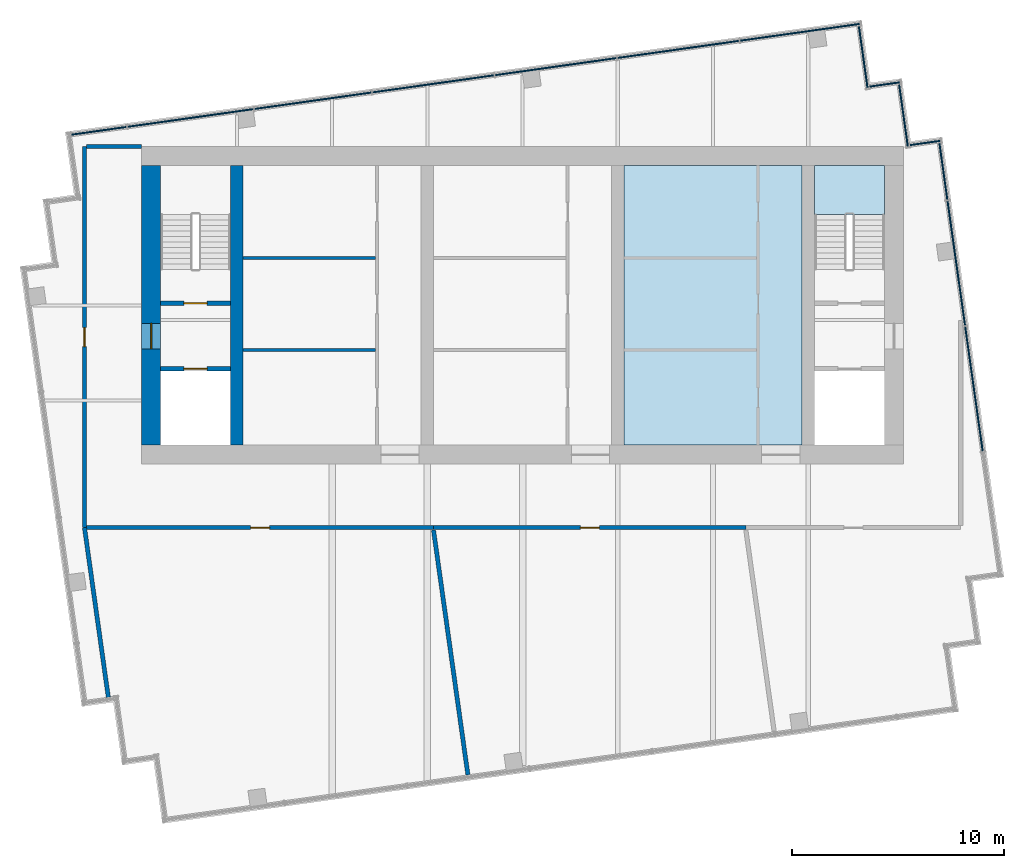
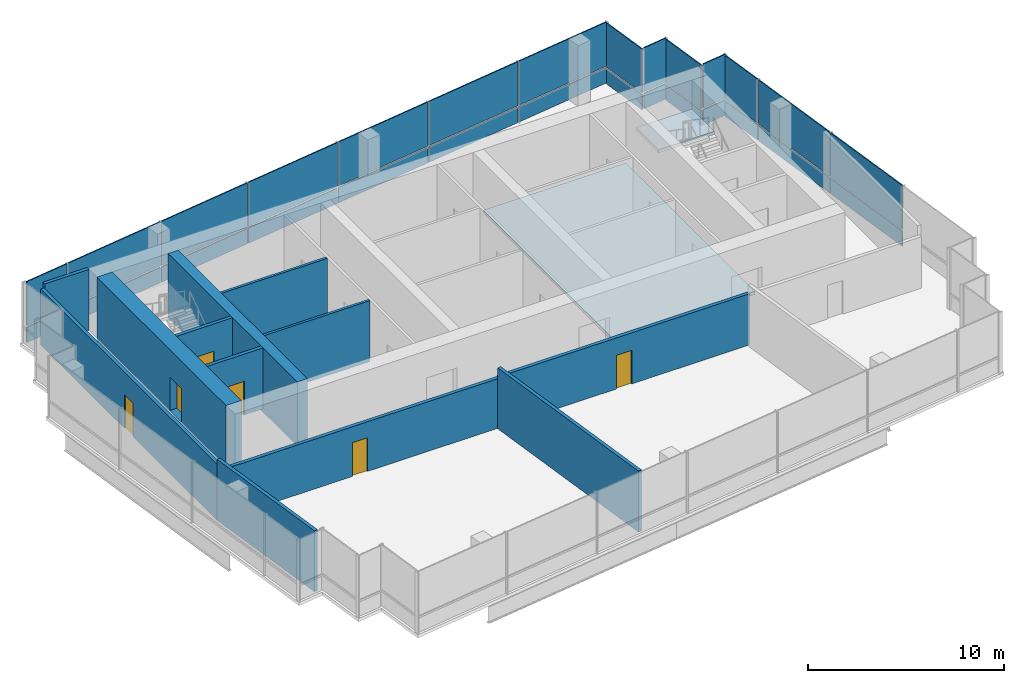
# One storey, part 7 of 9: 28 plates, 12 walls, 6 doors, 2 slabs, 6 openings, 7 elements without a shape of their own.
"""IFC4 building model written with IfcOpenShell, lengths in metres."""

from ifc_helpers import new_model, si_unit, direction, frame, frame_2d, origin, origin_2d, place, context, subcontext, project, spatial, polyline, rectangle, outline, extrude, material, layer, layer_set, type_object, element, fill, aggregate, save


model = new_model("IFC4")

# Units and contexts
model_context = context("Model", 3, precision=1e-05, world=origin(), true_north=direction((0.0, 1.0)))
body_context = subcontext(model_context, "Body", "Model", "MODEL_VIEW")
ifc_project = project(units=[si_unit("LENGTHUNIT", "METRE"), si_unit("AREAUNIT", "SQUARE_METRE"), si_unit("VOLUMEUNIT", "CUBIC_METRE"), si_unit("PLANEANGLEUNIT", "RADIAN"), si_unit("MASSUNIT", "GRAM", prefix="KILO")], contexts=[model_context])

# Site, building, storey
site_placement = place(None, origin())
site = spatial("IfcSite", under=ifc_project, at=site_placement, CompositionType="ELEMENT")
building_placement = place(site_placement, origin())
building = spatial("IfcBuilding", under=site, at=building_placement, Name="Rattan Terrace Tower", CompositionType="ELEMENT")
storey_placement = place(building_placement, frame((0.0, 0.0, 296.300048828125)))
storey = spatial("IfcBuildingStorey", under=building, at=storey_placement, Name="C02", CompositionType="ELEMENT", Elevation=296.300048828125)

# Stair, slab
ifc_material_1 = material(Name="Concrete C40/50", Category="concrete")
stair_type = type_object("IfcStairType", Name="Core exit stair 1500", PredefinedType="HALF_TURN_STAIR", material=ifc_material_1)
stair_placement = place(storey_placement, origin())
stair = element("IfcStair", 1, at=stair_placement, inside=storey, type_object=stair_type, Name="C02 exit stair 2", PredefinedType="HALF_TURN_STAIR")
ifc_material_2 = material(Name="Concrete C40/50", Category="concrete")
ifc_layer_1 = layer(ifc_material_2, 0.199951171875)
ifc_layer_set_1 = layer_set([ifc_layer_1], Name="Core exit stair landing")
slab_type_1 = type_object("IfcSlabType", Name="Core exit stair landing", PredefinedType="LANDING", material=ifc_layer_set_1)
slab_1_placement = place(storey_placement, frame((0.0, 0.0, 1.800048828125)))
slab_1 = element("IfcSlab", 2, at=slab_1_placement, type_object=slab_type_1, Name="S2 landing 1", PredefinedType="LANDING", context=body_context, shape_type="SweptSolid", body=[
    extrude(outline(polyline([(17.10009765625, 4.300048828125), (17.10009765625, 6.60009765625), (13.800048828125, 6.60009765625), (13.800048828125, 4.300048828125), (17.10009765625, 4.300048828125)])), origin(), (0.0, 0.0, 1.0), 0.199951171875),
])
aggregate(stair, [slab_1])

# Slab
ifc_material_3 = material(Name="Concrete C35/45", Category="concrete")
ifc_layer_2 = layer(ifc_material_3, 0.199951171875)
ifc_layer_set_2 = layer_set([ifc_layer_2], Name="Frame composite floor slab 200")
slab_type_2 = type_object("IfcSlabType", Name="Frame composite floor slab 200", PredefinedType="FLOOR", material=ifc_layer_set_2)
slab_2_placement = place(storey_placement, frame((0.0, 0.0, -0.199951171875)))
element("IfcSlab", 3, at=slab_2_placement, inside=storey, type_object=slab_type_2, Name="Floor slab", PredefinedType="FLOOR", context=body_context, shape_type="SweptSolid", body=[
    extrude(outline(polyline([(4.800048828125, -6.60009765625), (13.199951171875, -6.60009765625), (13.199951171875, 6.60009765625), (4.800048828125, 6.60009765625), (4.800048828125, -6.60009765625)])), origin(), (0.0, 0.0, 1.0), 0.199951171875),
])

# Curtain wall, plates
ifc_material_4 = material(Name="Aluminium and laminated glass", Category="aluminium")
ifc_layer_3 = layer(ifc_material_4, 0.239990234375)
ifc_layer_set_3 = layer_set([ifc_layer_3], Name="Lantern Stick Curtain Wall")
curtain_wall_type = type_object("IfcCurtainWallType", Name="Lantern Stick Curtain Wall", PredefinedType="NOTDEFINED", material=ifc_layer_set_3)
curtain_wall_1_placement = place(storey_placement, origin())
curtain_wall_1 = element("IfcCurtainWall", 4, at=curtain_wall_1_placement, inside=storey, type_object=curtain_wall_type, Name="Lantern curtain wall C02-11", PredefinedType="NOTDEFINED")
ifc_material_5 = material(Name="Laminated low-iron glass", Category="glass")
ifc_layer_4 = layer(ifc_material_5, 0.06591796875)
ifc_layer_set_4 = layer_set([ifc_layer_4], Name="Lantern CW Laminated Panel")
plate_type = type_object("IfcPlateType", Name="Lantern CW Laminated Panel", PredefinedType="CURTAIN_PANEL", material=ifc_layer_set_4)
plate_1_placement = place(storey_placement, frame((21.325927734375, -3.9482421875, 0.0), z_axis=(0.0, 0.0, 1.0), x_axis=(-0.139187707455, 0.990266015823, 0.0)))
plate_1 = element("IfcPlate", 5, at=plate_1_placement, type_object=plate_type, Name="Panel cwl-C02-011.2.1", PredefinedType="CURTAIN_PANEL", context=body_context, shape_type="SweptSolid", body=[
    extrude(rectangle(XDim=5.929931640625, YDim=0.06591796875, at=origin_2d()), origin(), (0.0, 0.0, 1.0), 0.949951171875),
])
plate_2_placement = place(storey_placement, frame((21.325927734375, -3.9482421875, 1.050048828125), z_axis=(0.0, 0.0, 1.0), x_axis=(-0.139187707455, 0.990266015823, 0.0)))
plate_2 = element("IfcPlate", 6, at=plate_2_placement, type_object=plate_type, Name="Panel cwl-C02-011.2.2", PredefinedType="CURTAIN_PANEL", context=body_context, shape_type="SweptSolid", body=[
    extrude(rectangle(XDim=5.929931640625, YDim=0.06591796875, at=origin_2d()), origin(), (0.0, 0.0, 1.0), 2.75),
])
plate_3_placement = place(storey_placement, frame((20.49072265625, 1.993408203125, 0.0), z_axis=(0.0, 0.0, 1.0), x_axis=(-0.139187707455, 0.990266015823, 0.0)))
plate_3 = element("IfcPlate", 7, at=plate_3_placement, type_object=plate_type, Name="Panel cwl-C02-011.3.1", PredefinedType="CURTAIN_PANEL", context=body_context, shape_type="SweptSolid", body=[
    extrude(rectangle(XDim=5.929931640625, YDim=0.06591796875, at=origin_2d()), origin(), (0.0, 0.0, 1.0), 0.949951171875),
])
plate_4_placement = place(storey_placement, frame((20.49072265625, 1.993408203125, 1.050048828125), z_axis=(0.0, 0.0, 1.0), x_axis=(-0.139187707455, 0.990266015823, 0.0)))
plate_4 = element("IfcPlate", 8, at=plate_4_placement, type_object=plate_type, Name="Panel cwl-C02-011.3.2", PredefinedType="CURTAIN_PANEL", context=body_context, shape_type="SweptSolid", body=[
    extrude(rectangle(XDim=5.929931640625, YDim=0.06591796875, at=origin_2d()), origin(), (0.0, 0.0, 1.0), 2.75),
])
plate_5_placement = place(storey_placement, frame((19.88232421875, 6.323486328125, 0.0), z_axis=(0.0, 0.0, 1.0), x_axis=(-0.139187707455, 0.990266015823, 0.0)))
plate_5 = element("IfcPlate", 9, at=plate_5_placement, type_object=plate_type, Name="Panel cwl-C02-011.4.1", PredefinedType="CURTAIN_PANEL", context=body_context, shape_type="SweptSolid", body=[
    extrude(rectangle(XDim=2.67529296875, YDim=0.06591796875, at=origin_2d()), origin(), (0.0, 0.0, 1.0), 0.949951171875),
])
plate_6_placement = place(storey_placement, frame((19.88232421875, 6.323486328125, 1.050048828125), z_axis=(0.0, 0.0, 1.0), x_axis=(-0.139187707455, 0.990266015823, 0.0)))
plate_6 = element("IfcPlate", 10, at=plate_6_placement, type_object=plate_type, Name="Panel cwl-C02-011.4.2", PredefinedType="CURTAIN_PANEL", context=body_context, shape_type="SweptSolid", body=[
    extrude(rectangle(XDim=2.67529296875, YDim=0.06591796875, at=origin_2d()), origin(), (0.0, 0.0, 1.0), 2.75),
])
aggregate(curtain_wall_1, [plate_1, plate_2, plate_3, plate_4, plate_5, plate_6])

curtain_wall_2_placement = place(storey_placement, origin())
curtain_wall_2 = element("IfcCurtainWall", 11, at=curtain_wall_2_placement, inside=storey, type_object=curtain_wall_type, Name="Lantern curtain wall C02-12", PredefinedType="NOTDEFINED")
plate_7_placement = place(storey_placement, frame((19.021484375, 7.67431640625, 0.0), z_axis=(0.0, 0.0, 1.0), x_axis=(-0.990227803001, -0.139459306479, 0.0)))
plate_7 = element("IfcPlate", 12, at=plate_7_placement, type_object=plate_type, Name="Panel cwl-C02-012.1.1", PredefinedType="CURTAIN_PANEL", context=body_context, shape_type="SweptSolid", body=[
    extrude(rectangle(XDim=1.428466796875, YDim=0.06591796875, at=origin_2d()), origin(), (0.0, 0.0, 1.0), 0.949951171875),
])
plate_8_placement = place(storey_placement, frame((19.021484375, 7.67431640625, 1.050048828125), z_axis=(0.0, 0.0, 1.0), x_axis=(-0.990227803001, -0.139459306479, 0.0)))
plate_8 = element("IfcPlate", 13, at=plate_8_placement, type_object=plate_type, Name="Panel cwl-C02-012.1.2", PredefinedType="CURTAIN_PANEL", context=body_context, shape_type="SweptSolid", body=[
    extrude(rectangle(XDim=1.428466796875, YDim=0.06591796875, at=origin_2d()), origin(), (0.0, 0.0, 1.0), 2.75),
])
aggregate(curtain_wall_2, [plate_7, plate_8])

curtain_wall_3_placement = place(storey_placement, origin())
curtain_wall_3 = element("IfcCurtainWall", 14, at=curtain_wall_3_placement, inside=storey, type_object=curtain_wall_type, Name="Lantern curtain wall C02-13", PredefinedType="NOTDEFINED")
plate_9_placement = place(storey_placement, frame((17.997802734375, 8.96044921875, 0.0), z_axis=(0.0, 0.0, 1.0), x_axis=(-0.139555918709, 0.990214191755, 0.0)))
plate_9 = element("IfcPlate", 15, at=plate_9_placement, type_object=plate_type, Name="Panel cwl-C02-013.1.1", PredefinedType="CURTAIN_PANEL", context=body_context, shape_type="SweptSolid", body=[
    extrude(rectangle(XDim=2.932373046875, YDim=0.06591796875, at=origin_2d()), origin(), (0.0, 0.0, 1.0), 0.949951171875),
])
plate_10_placement = place(storey_placement, frame((17.997802734375, 8.96044921875, 1.050048828125), z_axis=(0.0, 0.0, 1.0), x_axis=(-0.139555918709, 0.990214191755, 0.0)))
plate_10 = element("IfcPlate", 16, at=plate_10_placement, type_object=plate_type, Name="Panel cwl-C02-013.1.2", PredefinedType="CURTAIN_PANEL", context=body_context, shape_type="SweptSolid", body=[
    extrude(rectangle(XDim=2.932373046875, YDim=0.06591796875, at=origin_2d()), origin(), (0.0, 0.0, 1.0), 2.75),
])
aggregate(curtain_wall_3, [plate_9, plate_10])

curtain_wall_4_placement = place(storey_placement, origin())
curtain_wall_4 = element("IfcCurtainWall", 17, at=curtain_wall_4_placement, inside=storey, type_object=curtain_wall_type, Name="Lantern curtain wall C02-14", PredefinedType="NOTDEFINED")
plate_11_placement = place(storey_placement, frame((17.11865234375, 10.43896484375, 0.0), z_axis=(0.0, 0.0, 1.0), x_axis=(-0.990319742912, -0.13880492354, 0.0)))
plate_11 = element("IfcPlate", 18, at=plate_11_placement, type_object=plate_type, Name="Panel cwl-C02-014.1.1", PredefinedType="CURTAIN_PANEL", context=body_context, shape_type="SweptSolid", body=[
    extrude(rectangle(XDim=1.428466796875, YDim=0.06591796875, at=origin_2d()), origin(), (0.0, 0.0, 1.0), 0.949951171875),
])
plate_12_placement = place(storey_placement, frame((17.11865234375, 10.43896484375, 1.050048828125), z_axis=(0.0, 0.0, 1.0), x_axis=(-0.990319742912, -0.13880492354, 0.0)))
plate_12 = element("IfcPlate", 19, at=plate_12_placement, type_object=plate_type, Name="Panel cwl-C02-014.1.2", PredefinedType="CURTAIN_PANEL", context=body_context, shape_type="SweptSolid", body=[
    extrude(rectangle(XDim=1.428466796875, YDim=0.06591796875, at=origin_2d()), origin(), (0.0, 0.0, 1.0), 2.75),
])
aggregate(curtain_wall_4, [plate_11, plate_12])

curtain_wall_5_placement = place(storey_placement, origin())
curtain_wall_5 = element("IfcCurtainWall", 20, at=curtain_wall_5_placement, inside=storey, type_object=curtain_wall_type, Name="Lantern curtain wall C02-15", PredefinedType="NOTDEFINED")
plate_13_placement = place(storey_placement, frame((16.09521484375, 11.723388671875, 0.0), z_axis=(0.0, 0.0, 1.0), x_axis=(-0.139413247769, 0.990234288614, 0.0)))
plate_13 = element("IfcPlate", 21, at=plate_13_placement, type_object=plate_type, Name="Panel cwl-C02-015.1.1", PredefinedType="CURTAIN_PANEL", context=body_context, shape_type="SweptSolid", body=[
    extrude(rectangle(XDim=2.92822265625, YDim=0.06591796875, at=origin_2d()), origin(), (0.0, 0.0, 1.0), 0.949951171875),
])
plate_14_placement = place(storey_placement, frame((16.09521484375, 11.723388671875, 1.050048828125), z_axis=(0.0, 0.0, 1.0), x_axis=(-0.139413247769, 0.990234288614, 0.0)))
plate_14 = element("IfcPlate", 22, at=plate_14_placement, type_object=plate_type, Name="Panel cwl-C02-015.1.2", PredefinedType="CURTAIN_PANEL", context=body_context, shape_type="SweptSolid", body=[
    extrude(rectangle(XDim=2.92822265625, YDim=0.06591796875, at=origin_2d()), origin(), (0.0, 0.0, 1.0), 2.75),
])
aggregate(curtain_wall_5, [plate_13, plate_14])

curtain_wall_6_placement = place(storey_placement, origin())
curtain_wall_6 = element("IfcCurtainWall", 23, at=curtain_wall_6_placement, inside=storey, type_object=curtain_wall_type, Name="Lantern curtain wall C02-16", PredefinedType="NOTDEFINED")
plate_15_placement = place(storey_placement, frame((13.10595703125, 12.90283203125, 0.0), z_axis=(0.0, 0.0, 1.0), x_axis=(-0.990266952226, -0.13918104515, 0.0)))
plate_15 = element("IfcPlate", 24, at=plate_15_placement, type_object=plate_type, Name="Panel cwl-C02-016.1.1", PredefinedType="CURTAIN_PANEL", context=body_context, shape_type="SweptSolid", body=[
    extrude(rectangle(XDim=5.69091796875, YDim=0.06591796875, at=origin_2d()), origin(), (0.0, 0.0, 1.0), 0.949951171875),
])
plate_16_placement = place(storey_placement, frame((13.10595703125, 12.90283203125, 1.050048828125), z_axis=(0.0, 0.0, 1.0), x_axis=(-0.990266952226, -0.13918104515, 0.0)))
plate_16 = element("IfcPlate", 25, at=plate_16_placement, type_object=plate_type, Name="Panel cwl-C02-016.1.2", PredefinedType="CURTAIN_PANEL", context=body_context, shape_type="SweptSolid", body=[
    extrude(rectangle(XDim=5.69091796875, YDim=0.06591796875, at=origin_2d()), origin(), (0.0, 0.0, 1.0), 2.75),
])
plate_17_placement = place(storey_placement, frame((7.359130859375, 12.09521484375, 0.0), z_axis=(0.0, 0.0, 1.0), x_axis=(-0.990266952226, -0.13918104515, 0.0)))
plate_17 = element("IfcPlate", 26, at=plate_17_placement, type_object=plate_type, Name="Panel cwl-C02-016.2.1", PredefinedType="CURTAIN_PANEL", context=body_context, shape_type="SweptSolid", body=[
    extrude(rectangle(XDim=5.77587890625, YDim=0.06591796875, at=origin_2d()), origin(), (0.0, 0.0, 1.0), 0.949951171875),
])
plate_18_placement = place(storey_placement, frame((7.359130859375, 12.09521484375, 1.050048828125), z_axis=(0.0, 0.0, 1.0), x_axis=(-0.990266952226, -0.13918104515, 0.0)))
plate_18 = element("IfcPlate", 27, at=plate_18_placement, type_object=plate_type, Name="Panel cwl-C02-016.2.2", PredefinedType="CURTAIN_PANEL", context=body_context, shape_type="SweptSolid", body=[
    extrude(rectangle(XDim=5.77587890625, YDim=0.06591796875, at=origin_2d()), origin(), (0.0, 0.0, 1.0), 2.75),
])
plate_19_placement = place(storey_placement, frame((1.570068359375, 11.281494140625, 0.0), z_axis=(0.0, 0.0, 1.0), x_axis=(-0.990266952226, -0.13918104515, 0.0)))
plate_19 = element("IfcPlate", 28, at=plate_19_placement, type_object=plate_type, Name="Panel cwl-C02-016.3.1", PredefinedType="CURTAIN_PANEL", context=body_context, shape_type="SweptSolid", body=[
    extrude(rectangle(XDim=5.77587890625, YDim=0.06591796875, at=origin_2d()), origin(), (0.0, 0.0, 1.0), 0.949951171875),
])
plate_20_placement = place(storey_placement, frame((1.570068359375, 11.281494140625, 1.050048828125), z_axis=(0.0, 0.0, 1.0), x_axis=(-0.990266952226, -0.13918104515, 0.0)))
plate_20 = element("IfcPlate", 29, at=plate_20_placement, type_object=plate_type, Name="Panel cwl-C02-016.3.2", PredefinedType="CURTAIN_PANEL", context=body_context, shape_type="SweptSolid", body=[
    extrude(rectangle(XDim=5.77587890625, YDim=0.06591796875, at=origin_2d()), origin(), (0.0, 0.0, 1.0), 2.75),
])
plate_21_placement = place(storey_placement, frame((-4.21923828125, 10.4677734375, 0.0), z_axis=(0.0, 0.0, 1.0), x_axis=(-0.990266952226, -0.13918104515, 0.0)))
plate_21 = element("IfcPlate", 30, at=plate_21_placement, type_object=plate_type, Name="Panel cwl-C02-016.4.1", PredefinedType="CURTAIN_PANEL", context=body_context, shape_type="SweptSolid", body=[
    extrude(rectangle(XDim=5.77587890625, YDim=0.06591796875, at=origin_2d()), origin(), (0.0, 0.0, 1.0), 0.949951171875),
])
plate_22_placement = place(storey_placement, frame((-4.21923828125, 10.4677734375, 1.050048828125), z_axis=(0.0, 0.0, 1.0), x_axis=(-0.990266952226, -0.13918104515, 0.0)))
plate_22 = element("IfcPlate", 31, at=plate_22_placement, type_object=plate_type, Name="Panel cwl-C02-016.4.2", PredefinedType="CURTAIN_PANEL", context=body_context, shape_type="SweptSolid", body=[
    extrude(rectangle(XDim=5.77587890625, YDim=0.06591796875, at=origin_2d()), origin(), (0.0, 0.0, 1.0), 2.75),
])
plate_23_placement = place(storey_placement, frame((-9.900634765625, 9.66943359375, 0.0), z_axis=(0.0, 0.0, 1.0), x_axis=(-0.990266952226, -0.13918104515, 0.0)))
plate_23 = element("IfcPlate", 32, at=plate_23_placement, type_object=plate_type, Name="Panel cwl-C02-016.5.1", PredefinedType="CURTAIN_PANEL", context=body_context, shape_type="SweptSolid", body=[
    extrude(rectangle(XDim=5.55859375, YDim=0.06591796875, at=origin_2d()), origin(), (0.0, 0.0, 1.0), 0.949951171875),
])
plate_24_placement = place(storey_placement, frame((-9.900634765625, 9.66943359375, 1.050048828125), z_axis=(0.0, 0.0, 1.0), x_axis=(-0.990266952226, -0.13918104515, 0.0)))
plate_24 = element("IfcPlate", 33, at=plate_24_placement, type_object=plate_type, Name="Panel cwl-C02-016.5.2", PredefinedType="CURTAIN_PANEL", context=body_context, shape_type="SweptSolid", body=[
    extrude(rectangle(XDim=5.55859375, YDim=0.06591796875, at=origin_2d()), origin(), (0.0, 0.0, 1.0), 2.75),
])
plate_25_placement = place(storey_placement, frame((-15.689697265625, 8.855712890625, 0.0), z_axis=(0.0, 0.0, 1.0), x_axis=(-0.990266952226, -0.13918104515, 0.0)))
plate_25 = element("IfcPlate", 34, at=plate_25_placement, type_object=plate_type, Name="Panel cwl-C02-016.6.1", PredefinedType="CURTAIN_PANEL", context=body_context, shape_type="SweptSolid", body=[
    extrude(rectangle(XDim=5.993408203125, YDim=0.06591796875, at=origin_2d()), origin(), (0.0, 0.0, 1.0), 0.949951171875),
])
plate_26_placement = place(storey_placement, frame((-15.689697265625, 8.855712890625, 1.050048828125), z_axis=(0.0, 0.0, 1.0), x_axis=(-0.990266952226, -0.13918104515, 0.0)))
plate_26 = element("IfcPlate", 35, at=plate_26_placement, type_object=plate_type, Name="Panel cwl-C02-016.6.2", PredefinedType="CURTAIN_PANEL", context=body_context, shape_type="SweptSolid", body=[
    extrude(rectangle(XDim=5.993408203125, YDim=0.06591796875, at=origin_2d()), origin(), (0.0, 0.0, 1.0), 2.75),
])
plate_27_placement = place(storey_placement, frame((-20.013916015625, 8.248046875, 0.0), z_axis=(0.0, 0.0, 1.0), x_axis=(-0.990266952226, -0.13918104515, 0.0)))
plate_27 = element("IfcPlate", 36, at=plate_27_placement, type_object=plate_type, Name="Panel cwl-C02-016.7.1", PredefinedType="CURTAIN_PANEL", context=body_context, shape_type="SweptSolid", body=[
    extrude(rectangle(XDim=2.599853515625, YDim=0.06591796875, at=origin_2d()), origin(), (0.0, 0.0, 1.0), 0.949951171875),
])
plate_28_placement = place(storey_placement, frame((-20.013916015625, 8.248046875, 1.050048828125), z_axis=(0.0, 0.0, 1.0), x_axis=(-0.990266952226, -0.13918104515, 0.0)))
plate_28 = element("IfcPlate", 37, at=plate_28_placement, type_object=plate_type, Name="Panel cwl-C02-016.7.2", PredefinedType="CURTAIN_PANEL", context=body_context, shape_type="SweptSolid", body=[
    extrude(rectangle(XDim=2.599853515625, YDim=0.06591796875, at=origin_2d()), origin(), (0.0, 0.0, 1.0), 2.75),
])
aggregate(curtain_wall_6, [plate_15, plate_16, plate_17, plate_18, plate_19, plate_20, plate_21, plate_22, plate_23, plate_24, plate_25, plate_26, plate_27, plate_28])

# Walls
ifc_material_6 = material(Name="Gypsum board partition")
ifc_layer_5 = layer(ifc_material_6, 0.14990234375)
ifc_layer_set_5 = layer_set([ifc_layer_5], Name="Core partition 150")
wall_type_1 = type_object("IfcWallType", Name="Core partition 150", PredefinedType="PARTITIONING", material=ifc_layer_set_5)
for number, where, z_axis, x_axis, name in (
    (38, (-13.199951171875, -2.112060546875, 0.0), (0.0, 0.0, 1.0), (1.0, 0.0, 0.0), "Core room wall"),
    (39, (-13.199951171875, 2.243896484375, 0.0), (0.0, 0.0, 1.0), (1.0, 0.0, 0.0), "Core room wall"),
):
    element("IfcWall", number, at=place(storey_placement, frame(where, z_axis=z_axis, x_axis=x_axis)), inside=storey, type_object=wall_type_1, Name=name, PredefinedType="PARTITIONING", context=body_context, shape_type="SweptSolid", body=[
        extrude(rectangle(XDim=6.25, YDim=0.14990234375, at=frame_2d((3.125, 0.0))), origin(), (0.0, 0.0, 1.0), 3.800048828125),
    ])

# Wall, opening, door
ifc_material_7 = material(Name="Gypsum board partition")
ifc_layer_6 = layer(ifc_material_7, 0.199951171875)
ifc_layer_set_6 = layer_set([ifc_layer_6], Name="Core partition 200")
wall_type_2 = type_object("IfcWallType", Name="Core partition 200", PredefinedType="PARTITIONING", material=ifc_layer_set_6)
wall_1_placement = place(storey_placement, frame((-17.10009765625, -3.0, 0.0), z_axis=(0.0, 0.0, 1.0), x_axis=(1.0, 0.0, 0.0)))
wall_1 = element("IfcWall", 40, at=wall_1_placement, inside=storey, type_object=wall_type_2, Name="Fire-fighting lobby wall", PredefinedType="PARTITIONING", context=body_context, shape_type="SweptSolid", body=[
    extrude(rectangle(XDim=3.300048828125, YDim=0.199951171875, at=frame_2d((1.64990234375, 0.0))), origin(), (0.0, 0.0, 1.0), 3.800048828125),
])
opening_1_placement = place(wall_1_placement, frame((1.10009765625, 0.0, 0.0)))
opening_1 = element("IfcOpeningElement", 41, at=opening_1_placement, cuts=wall_1, Name="Opening C02-LD-FF1", PredefinedType="OPENING", context=body_context, shape_type="SweptSolid", body=[
    extrude(rectangle(XDim=1.10009765625, YDim=2.10009765625, at=frame_2d((0.550048828125, 1.050048828125))), frame((0.0, 0.110595703125, 0.0), z_axis=(0.0, -1.0, 0.0), x_axis=(1.0, 0.0, 0.0)), (0.0, 0.0, 1.0), 0.220947265625),
])
ifc_material_8 = material(Name="Brushed stainless landing door panel")
door_type_1 = type_object("IfcDoorType", Name="Core lift landing door 1100", OperationType="DOUBLE_DOOR_SLIDING", PredefinedType="DOOR", material=ifc_material_8)
door_1_placement = place(opening_1_placement, origin())
door_1 = element("IfcDoor", 42, at=door_1_placement, inside=storey, type_object=door_type_1, Name="Door C02-LD-FF1", OperationType="DOUBLE_DOOR_SLIDING", OverallHeight=2.10009765625, OverallWidth=1.10009765625, PredefinedType="DOOR", context=body_context, shape_type="SweptSolid", body=[
    extrude(rectangle(XDim=1.10009765625, YDim=2.10009765625, at=frame_2d((0.550048828125, 1.050048828125))), frame((0.0, 0.02490234375, 0.0), z_axis=(0.0, -1.0, 0.0), x_axis=(1.0, 0.0, 0.0)), (0.0, 0.0, 1.0), 0.050048828125),
])
fill(opening_1, door_1)

wall_2_placement = place(storey_placement, frame((-17.10009765625, 0.10009765625, 0.0), z_axis=(0.0, 0.0, 1.0), x_axis=(1.0, 0.0, 0.0)))
wall_2 = element("IfcWall", 43, at=wall_2_placement, inside=storey, type_object=wall_type_2, Name="Stair enclosure wall", PredefinedType="PARTITIONING", context=body_context, shape_type="SweptSolid", body=[
    extrude(rectangle(XDim=3.300048828125, YDim=0.199951171875, at=frame_2d((1.64990234375, 0.0))), origin(), (0.0, 0.0, 1.0), 3.800048828125),
])
opening_2_placement = place(wall_2_placement, frame((1.10009765625, 0.0, 0.0)))
opening_2 = element("IfcOpeningElement", 44, at=opening_2_placement, cuts=wall_2, Name="Opening C02-D002", PredefinedType="OPENING", context=body_context, shape_type="SweptSolid", body=[
    extrude(rectangle(XDim=1.10009765625, YDim=2.10009765625, at=frame_2d((0.550048828125, 1.050048828125))), frame((0.0, 0.110595703125, 0.0), z_axis=(0.0, -1.0, 0.0), x_axis=(1.0, 0.0, 0.0)), (0.0, 0.0, 1.0), 0.220947265625),
])
ifc_material_9 = material(Name="Hollow-metal fire door leaf")
door_type_2 = type_object("IfcDoorType", Name="Core stair door 1100", OperationType="NOTDEFINED", PredefinedType="DOOR", material=ifc_material_9)
door_2_placement = place(opening_2_placement, origin())
door_2 = element("IfcDoor", 45, at=door_2_placement, inside=storey, type_object=door_type_2, Name="Door C02-D002", OperationType="SINGLE_SWING_RIGHT", OverallHeight=2.10009765625, OverallWidth=1.10009765625, PredefinedType="DOOR", context=body_context, shape_type="SweptSolid", body=[
    extrude(rectangle(XDim=1.10009765625, YDim=2.10009765625, at=frame_2d((0.550048828125, 1.050048828125))), frame((0.0, 0.02490234375, 0.0), z_axis=(0.0, -1.0, 0.0), x_axis=(1.0, 0.0, 0.0)), (0.0, 0.0, 1.0), 0.050048828125),
])
fill(opening_2, door_2)

ifc_material_10 = material(Name="Concrete C50/60", Category="concrete")
ifc_layer_7 = layer(ifc_material_10, 0.89990234375)
ifc_layer_set_7 = layer_set([ifc_layer_7], Name="Core ring wall 900 C50/60")
wall_type_3 = type_object("IfcWallType", Name="Core ring wall 900 C50/60", PredefinedType="SHEAR", material=ifc_layer_set_7)
wall_3_placement = place(storey_placement, frame((-17.550048828125, -6.60009765625, -0.199951171875), z_axis=(0.0, 0.0, 1.0), x_axis=(0.0, 1.0, 0.0)))
wall_3 = element("IfcWall", 46, at=wall_3_placement, inside=storey, type_object=wall_type_3, Name="Rear core wall west", PredefinedType="SHEAR", context=body_context, shape_type="SweptSolid", body=[
    extrude(rectangle(XDim=13.2001953125, YDim=0.89990234375, at=frame_2d((6.60009765625, 0.0))), origin(), (0.0, 0.0, 1.0), 4.0),
])
opening_3_placement = place(wall_3_placement, frame((4.550048828125, 0.0, 0.199951171875)))
opening_3 = element("IfcOpeningElement", 47, at=opening_3_placement, cuts=wall_3, Name="Opening C02-D001", PredefinedType="OPENING", context=body_context, shape_type="SweptSolid", body=[
    extrude(rectangle(XDim=1.199951171875, YDim=2.10009765625, at=frame_2d((0.60009765625, 1.050048828125))), frame((0.0, 0.46044921875, 0.0), z_axis=(0.0, -1.0, 0.0), x_axis=(1.0, 0.0, 0.0)), (0.0, 0.0, 1.0), 0.9208984375),
])
ifc_material_11 = material(Name="Hollow-metal fire door leaf")
door_type_3 = type_object("IfcDoorType", Name="Core fire-fighting lobby door 1200", OperationType="NOTDEFINED", PredefinedType="DOOR", material=ifc_material_11)
door_3_placement = place(opening_3_placement, origin())
door_3 = element("IfcDoor", 48, at=door_3_placement, inside=storey, type_object=door_type_3, Name="Door C02-D001", OperationType="SINGLE_SWING_LEFT", OverallHeight=2.10009765625, OverallWidth=1.199951171875, PredefinedType="DOOR", context=body_context, shape_type="SweptSolid", body=[
    extrude(rectangle(XDim=1.199951171875, YDim=2.10009765625, at=frame_2d((0.60009765625, 1.050048828125))), frame((0.0, 0.02490234375, 0.0), z_axis=(0.0, -1.0, 0.0), x_axis=(1.0, 0.0, 0.0)), (0.0, 0.0, 1.0), 0.050048828125),
])
fill(opening_3, door_3)

# Wall
ifc_material_12 = material(Name="Concrete C50/60", Category="concrete")
ifc_layer_8 = layer(ifc_material_12, 0.60009765625)
ifc_layer_set_8 = layer_set([ifc_layer_8], Name="Core spine wall 600 C50/60")
wall_type_4 = type_object("IfcWallType", Name="Core spine wall 600 C50/60", PredefinedType="SHEAR", material=ifc_layer_set_8)
wall_4_placement = place(storey_placement, frame((-13.5, -6.60009765625, -0.199951171875), z_axis=(0.0, 0.0, 1.0), x_axis=(0.0, 1.0, 0.0)))
element("IfcWall", 49, at=wall_4_placement, inside=storey, type_object=wall_type_4, Name="Core spine wall 1", PredefinedType="SHEAR", context=body_context, shape_type="SweptSolid", body=[
    extrude(rectangle(XDim=13.2001953125, YDim=0.60009765625, at=frame_2d((6.60009765625, 0.0))), origin(), (0.0, 0.0, 1.0), 4.0),
])

# Wall, opening, door
ifc_material_13 = material(Name="Concrete block wall, plastered", Category="concrete")
ifc_layer_9 = layer(ifc_material_13, 0.199951171875)
ifc_layer_set_9 = layer_set([ifc_layer_9], Name="Floors Plant Wall 200")
wall_type_5 = type_object("IfcWallType", Name="Floors Plant Wall 200", PredefinedType="PARTITIONING", material=ifc_layer_set_9)
wall_5_placement = place(storey_placement, frame((-4.205078125, -10.5, 0.0), z_axis=(0.0, 0.0, 1.0), x_axis=(-1.0, 0.0, 0.0)))
wall_5 = element("IfcWall", 50, at=wall_5_placement, inside=storey, type_object=wall_type_5, Name="pt-C02-001", PredefinedType="PARTITIONING", context=body_context, shape_type="SweptSolid", body=[
    extrude(rectangle(XDim=16.39501953125, YDim=0.199951171875, at=frame_2d((8.197509765625, 0.0))), origin(), (0.0, 0.0, 1.0), 3.099853515625),
])
opening_4_placement = place(wall_5_placement, frame((7.748046875, 0.0, 0.0)))
opening_4 = element("IfcOpeningElement", 51, at=opening_4_placement, cuts=wall_5, Name="Opening C02-D100", PredefinedType="OPENING", context=body_context, shape_type="SweptSolid", body=[
    extrude(rectangle(XDim=0.89990234375, YDim=2.10009765625, at=frame_2d((0.449951171875, 1.050048828125))), frame((0.0, 0.110595703125, 0.0), z_axis=(0.0, -1.0, 0.0), x_axis=(1.0, 0.0, 0.0)), (0.0, 0.0, 1.0), 0.220947265625),
])
ifc_material_14 = material(Name="Steel fire door set", Category="steel")
door_type_4 = type_object("IfcDoorType", Name="Floors Fire Door FD60 900x2100", OperationType="NOTDEFINED", PredefinedType="DOOR", material=ifc_material_14)
door_4_placement = place(opening_4_placement, origin())
door_4 = element("IfcDoor", 52, at=door_4_placement, inside=storey, type_object=door_type_4, Name="d-C02-100", OperationType="SINGLE_SWING_LEFT", OverallHeight=2.10009765625, OverallWidth=0.89990234375, PredefinedType="DOOR", context=body_context, shape_type="SweptSolid", body=[
    extrude(rectangle(XDim=0.89990234375, YDim=2.10009765625, at=frame_2d((0.449951171875, 1.050048828125))), frame((0.0, 0.02490234375, 0.0), z_axis=(0.0, -1.0, 0.0), x_axis=(1.0, 0.0, 0.0)), (0.0, 0.0, 1.0), 0.050048828125),
])
fill(opening_4, door_4)

wall_6_placement = place(storey_placement, frame((10.553955078125, -10.5, 0.0), z_axis=(0.0, 0.0, 1.0), x_axis=(-1.0, 0.0, 0.0)))
wall_6 = element("IfcWall", 53, at=wall_6_placement, inside=storey, type_object=wall_type_5, Name="pt-C02-002", PredefinedType="PARTITIONING", context=body_context, shape_type="SweptSolid", body=[
    extrude(rectangle(XDim=14.759033203125, YDim=0.199951171875, at=frame_2d((7.37939453125, 0.0))), origin(), (0.0, 0.0, 1.0), 3.18994140625),
])
opening_5_placement = place(wall_6_placement, frame((6.928955078125, 0.0, 0.0)))
opening_5 = element("IfcOpeningElement", 54, at=opening_5_placement, cuts=wall_6, Name="Opening C02-D101", PredefinedType="OPENING", context=body_context, shape_type="SweptSolid", body=[
    extrude(rectangle(XDim=0.89990234375, YDim=2.10009765625, at=frame_2d((0.449951171875, 1.050048828125))), frame((0.0, 0.110595703125, 0.0), z_axis=(0.0, -1.0, 0.0), x_axis=(1.0, 0.0, 0.0)), (0.0, 0.0, 1.0), 0.220947265625),
])
door_5_placement = place(opening_5_placement, origin())
door_5 = element("IfcDoor", 55, at=door_5_placement, inside=storey, type_object=door_type_4, Name="d-C02-101", OperationType="SINGLE_SWING_RIGHT", OverallHeight=2.10009765625, OverallWidth=0.89990234375, PredefinedType="DOOR", context=body_context, shape_type="SweptSolid", body=[
    extrude(rectangle(XDim=0.89990234375, YDim=2.10009765625, at=frame_2d((0.449951171875, 1.050048828125))), frame((0.0, 0.02490234375, 0.0), z_axis=(0.0, -1.0, 0.0), x_axis=(1.0, 0.0, 0.0)), (0.0, 0.0, 1.0), 0.050048828125),
])
fill(opening_5, door_5)

wall_7_placement = place(storey_placement, frame((-20.699951171875, -10.5, 0.0), z_axis=(0.0, 0.0, 1.0), x_axis=(0.0, 1.0, 0.0)))
wall_7 = element("IfcWall", 56, at=wall_7_placement, inside=storey, type_object=wall_type_5, Name="pt-C02-005", PredefinedType="PARTITIONING", context=body_context, shape_type="SweptSolid", body=[
    extrude(rectangle(XDim=18.0, YDim=0.199951171875, at=frame_2d((9.0, 0.0))), origin(), (0.0, 0.0, 1.0), 3.5),
])
opening_6_placement = place(wall_7_placement, frame((8.550048828125, 0.0, 0.0)))
opening_6 = element("IfcOpeningElement", 57, at=opening_6_placement, cuts=wall_7, Name="Opening C02-D103", PredefinedType="OPENING", context=body_context, shape_type="SweptSolid", body=[
    extrude(rectangle(XDim=0.89990234375, YDim=2.10009765625, at=frame_2d((0.449951171875, 1.050048828125))), frame((0.0, 0.110595703125, 0.0), z_axis=(0.0, -1.0, 0.0), x_axis=(1.0, 0.0, 0.0)), (0.0, 0.0, 1.0), 0.220947265625),
])
door_6_placement = place(opening_6_placement, origin())
door_6 = element("IfcDoor", 58, at=door_6_placement, inside=storey, type_object=door_type_4, Name="d-C02-103", OperationType="SINGLE_SWING_RIGHT", OverallHeight=2.10009765625, OverallWidth=0.89990234375, PredefinedType="DOOR", context=body_context, shape_type="SweptSolid", body=[
    extrude(rectangle(XDim=0.89990234375, YDim=2.10009765625, at=frame_2d((0.449951171875, 1.050048828125))), frame((0.0, 0.02490234375, 0.0), z_axis=(0.0, -1.0, 0.0), x_axis=(1.0, 0.0, 0.0)), (0.0, 0.0, 1.0), 0.050048828125),
])
fill(opening_6, door_6)

# Walls
wall_8_placement = place(storey_placement, frame((-20.60009765625, 7.5009765625, 0.0), z_axis=(0.0, 0.0, 1.0), x_axis=(1.0, 0.0, 0.0)))
element("IfcWall", 59, at=wall_8_placement, inside=storey, type_object=wall_type_5, Name="pt-C02-006", PredefinedType="PARTITIONING", context=body_context, shape_type="SweptSolid", body=[
    extrude(rectangle(XDim=2.60009765625, YDim=0.199951171875, at=frame_2d((1.300048828125, 0.0))), origin(), (0.0, 0.0, 1.0), 3.800048828125),
])
wall_9_placement = place(storey_placement, frame((-4.208984375, -10.614013671875, 0.0), z_axis=(0.0, 0.0, 1.0), x_axis=(0.139166837679, -0.990268948968, 0.0)))
element("IfcWall", 60, at=wall_9_placement, inside=storey, type_object=wall_type_5, Name="pt-C02-007", PredefinedType="PARTITIONING", context=body_context, shape_type="SweptSolid", body=[
    extrude(rectangle(XDim=11.690673828125, YDim=0.199951171875, at=frame_2d((5.84521484375, 0.0))), origin(), (0.0, 0.0, 1.0), 3.800048828125),
])
wall_10_placement = place(storey_placement, frame((-19.572998046875, -18.52001953125, 0.0), z_axis=(0.0, 0.0, 1.0), x_axis=(-0.13915044451, 0.990271252634, 0.0)))
element("IfcWall", 61, at=wall_10_placement, inside=storey, type_object=wall_type_5, Name="pt-C02-008", PredefinedType="PARTITIONING", context=body_context, shape_type="SweptSolid", body=[
    extrude(rectangle(XDim=8.098876953125, YDim=0.199951171875, at=frame_2d((4.04931640625, 0.0))), origin(), (0.0, 0.0, 1.0), 3.800048828125),
])

save(model, "model.ifc")
